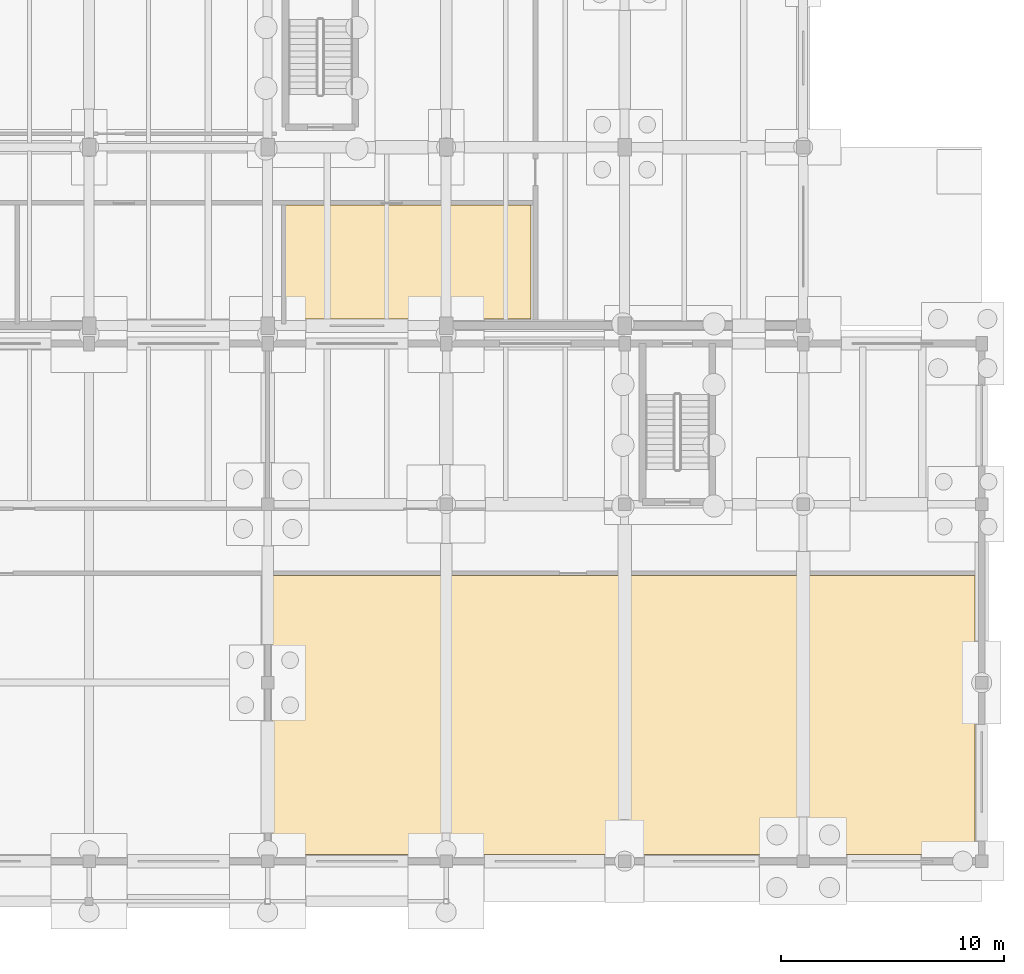
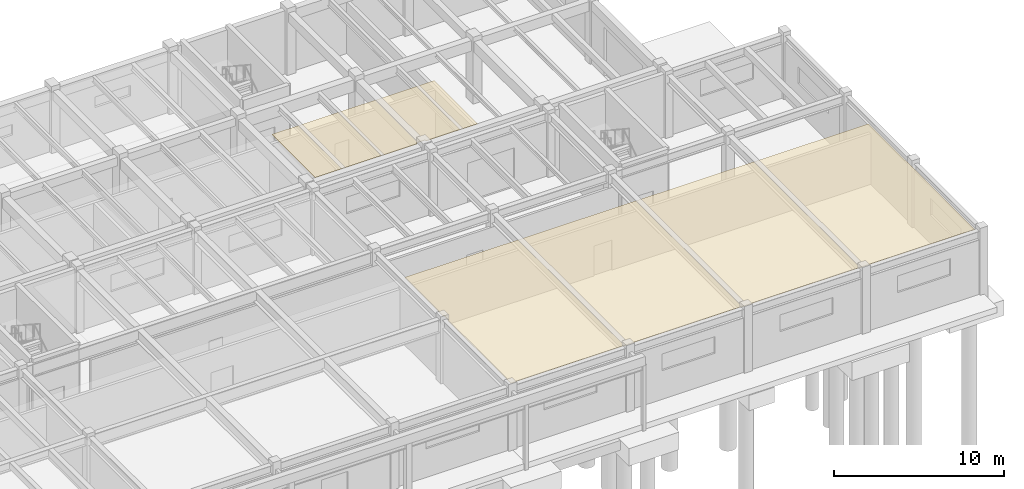
# One storey, part 61 of 64: 2 coverings.
"""IFC4 building model written with IfcOpenShell, lengths in metres."""

from ifc_helpers import new_model, si_unit, direction, frame, origin, place, context, subcontext, project, spatial, polyline, outline, extrude, material, layer, layer_set, type_object, element, save


model = new_model("IFC4")

# Units and contexts
model_context = context("Model", 3, precision=1e-05, world=origin(), true_north=direction((0.0, 1.0)))
body_context = subcontext(model_context, "Body", "Model", "MODEL_VIEW")
ifc_project = project(units=[si_unit("LENGTHUNIT", "METRE"), si_unit("AREAUNIT", "SQUARE_METRE"), si_unit("VOLUMEUNIT", "CUBIC_METRE"), si_unit("PLANEANGLEUNIT", "RADIAN"), si_unit("MASSUNIT", "GRAM", prefix="KILO")], contexts=[model_context])

# Site, building, storey
site_placement = place(None, origin())
site = spatial("IfcSite", under=ifc_project, at=site_placement, CompositionType="ELEMENT")
building_placement = place(site_placement, origin())
building = spatial("IfcBuilding", under=site, at=building_placement, Name="Tlaxcora Railside Police Headquarters", CompositionType="ELEMENT")
storey_placement = place(building_placement, origin())
storey = spatial("IfcBuildingStorey", under=building, at=storey_placement, Name="L00", CompositionType="ELEMENT", Elevation=0.0)

# Coverings
ifc_material = material(Name="Mineral-fibre acoustic ceiling tile")
ifc_layer = layer(ifc_material, 0.034912109375, Name="Mineral-fibre acoustic ceiling tile")
ifc_layer_set = layer_set([ifc_layer], Name="Mineral-fibre acoustic ceiling tile")
covering_type = type_object("IfcCoveringType", Name="Acoustic Suspended Ceiling CLG-01", PredefinedType="CEILING", material=ifc_layer_set)
covering_1_placement = place(storey_placement, frame((0.0, 0.0, 4.364990234375)))
element("IfcCovering", 1, at=covering_1_placement, inside=storey, type_object=covering_type, Name="Indoor Firing Range (25 m Ballistic Baffled Hall) suspended ceiling", PredefinedType="CEILING", context=body_context, shape_type="SweptSolid", body=[
    extrude(outline(polyline([(135.0, 12.300048828125), (166.5, 12.300048828125), (166.5, 24.800048828125), (135.0, 24.800048828125), (135.0, 20.284912109375), (135.0849609375, 20.284912109375), (135.0849609375, 19.715087890625), (135.0, 19.715087890625), (135.0, 12.300048828125)])), origin(), (0.0, 0.0, 1.0), 0.034912109375),
])
covering_2_placement = place(storey_placement, frame((0.0, 0.0, 4.364990234375)))
element("IfcCovering", 2, at=covering_2_placement, inside=storey, type_object=covering_type, Name="Segregated Observation Holding Cells suspended ceiling", PredefinedType="CEILING", context=body_context, shape_type="SweptSolid", body=[
    extrude(outline(polyline([(135.591064453125, 36.300048828125), (142.489990234375, 36.300048828125), (142.489990234375, 36.409912109375), (143.110107421875, 36.409912109375), (143.110107421875, 36.300048828125), (146.60009765625, 36.300048828125), (146.60009765625, 41.39990234375), (135.591064453125, 41.39990234375), (135.591064453125, 36.300048828125)])), origin(), (0.0, 0.0, 1.0), 0.034912109375),
])

save(model, "model.ifc")
